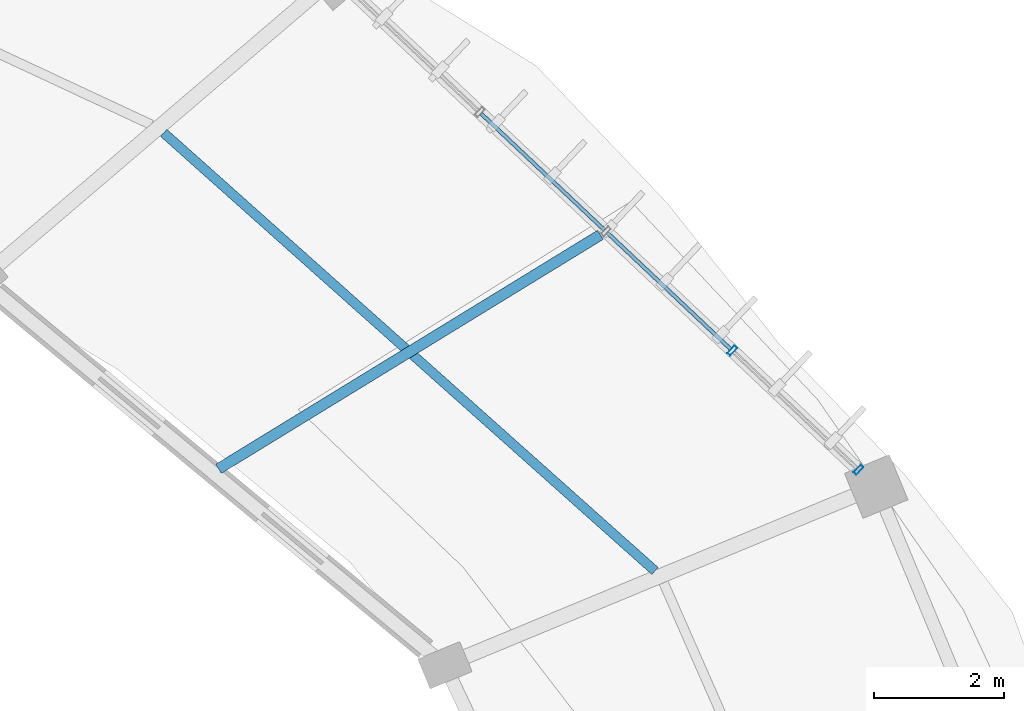
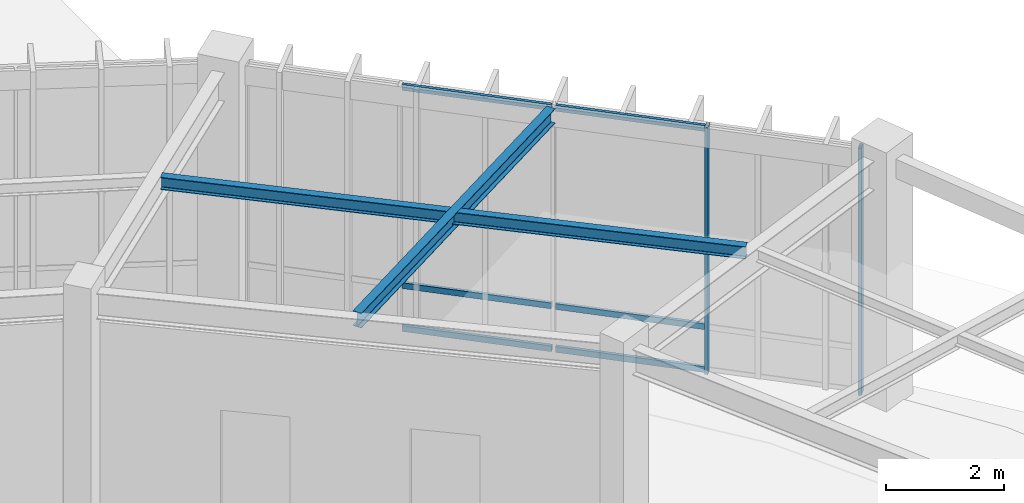
# One storey, part 107 of 157: 8 members, 2 beams, 1 element without a shape of its own.
"""IFC4 building model written with IfcOpenShell, lengths in metres."""

from ifc_helpers import new_model, si_unit, direction, frame, origin, origin_2d, place, context, subcontext, project, spatial, hollow_rectangle, i_section, extrude, material, material_profile, profile_set, type_object, element, aggregate, save


model = new_model("IFC4")

# Units and contexts
model_context = context("Model", 3, precision=1e-05, world=origin(), true_north=direction((0.0, 1.0)))
body_context = subcontext(model_context, "Body", "Model", "MODEL_VIEW")
ifc_project = project(units=[si_unit("LENGTHUNIT", "METRE"), si_unit("AREAUNIT", "SQUARE_METRE"), si_unit("VOLUMEUNIT", "CUBIC_METRE"), si_unit("PLANEANGLEUNIT", "RADIAN"), si_unit("MASSUNIT", "GRAM", prefix="KILO"), si_unit("THERMODYNAMICTEMPERATUREUNIT", "KELVIN"), si_unit("POWERUNIT", "WATT")], contexts=[model_context])

# Site, building, storey
site_placement = place(None, origin())
site = spatial("IfcSite", under=ifc_project, at=site_placement, CompositionType="ELEMENT")
building_placement = place(site_placement, origin())
building = spatial("IfcBuilding", under=site, at=building_placement, Name="Darbajah Civic Hall", CompositionType="ELEMENT")
storey_placement = place(building_placement, origin())
storey = spatial("IfcBuildingStorey", under=building, at=storey_placement, Name="L00", CompositionType="ELEMENT", Elevation=0.0)

# Curtain wall, members
ifc_material_1 = material(Name="Anodised Bronze Aluminium and Low-E Glazing", Category="aluminium")
curtain_wall_type = type_object("IfcCurtainWallType", Name="Unitised Curtain Wall CW-01 10700x5100", PredefinedType="USERDEFINED", material=ifc_material_1)
curtain_wall_placement = place(storey_placement, origin())
curtain_wall = element("IfcCurtainWall", 1, at=curtain_wall_placement, inside=storey, type_object=curtain_wall_type, Name="L00 unitised curtain wall CW-V1O-L00-01", ObjectType="UNITISED CURTAIN WALL", PredefinedType="USERDEFINED")
ifc_material_2 = material(Name="Anodised Bronze Aluminium", Category="aluminium")
ifc_material_profile_1 = material_profile(ifc_material_2, hollow_rectangle(XDim=0.06005859375, YDim=0.159912109375, WallThickness=0.00341796875, at=origin_2d()), Name="ALU MULLION 60x160")
ifc_profile_set_1 = profile_set([ifc_material_profile_1], Name="Anodised Bronze Aluminium")
member_type_1 = type_object("IfcMemberType", Name="ALU MULLION 60x160", PredefinedType="MULLION", material=ifc_profile_set_1)
member_1_placement = place(storey_placement, frame((135.943603515625, 101.347900390625, 0.0), z_axis=(0.0, 0.0, 1.0), x_axis=(-0.727173991201, 0.686453193248, 0.0)))
member_1 = element("IfcMember", 2, at=member_1_placement, type_object=member_type_1, Name="CW-V1O-L00-01 mullion 1", PredefinedType="MULLION", context=body_context, shape_type="SweptSolid", body=[
    extrude(hollow_rectangle(XDim=0.06005859375, YDim=0.159912109375, WallThickness=0.00341796875, at=origin_2d()), origin(), (0.0, 0.0, 1.0), 5.1201171875),
])
member_2_placement = place(storey_placement, frame((133.99658203125, 103.18603515625, 0.0), z_axis=(0.0, 0.0, 1.0), x_axis=(-0.727173991201, 0.686453193248, 0.0)))
member_2 = element("IfcMember", 3, at=member_2_placement, type_object=member_type_1, Name="CW-V1O-L00-01 mullion 2", PredefinedType="MULLION", context=body_context, shape_type="SweptSolid", body=[
    extrude(hollow_rectangle(XDim=0.06005859375, YDim=0.159912109375, WallThickness=0.00341796875, at=origin_2d()), origin(), (0.0, 0.0, 1.0), 5.1201171875),
])
ifc_material_profile_2 = material_profile(ifc_material_2, hollow_rectangle(XDim=0.06005859375, YDim=0.1201171875, WallThickness=0.003173828125, at=origin_2d()), Name="ALU TRANSOM 60x120")
ifc_profile_set_2 = profile_set([ifc_material_profile_2], Name="Anodised Bronze Aluminium")
member_type_2 = type_object("IfcMemberType", Name="ALU TRANSOM 60x120", PredefinedType="USERDEFINED", material=ifc_profile_set_2)
member_3_placement = place(storey_placement, frame((133.970947265625, 103.2099609375, 0.06005859375), z_axis=(-0.727176706438, 0.686450316931, 0.0), x_axis=(-0.686450316931, -0.727176706438, 0.0)))
member_3 = element("IfcMember", 4, at=member_3_placement, type_object=member_type_2, Name="CW-V1O-L00-01 transom 2.1", ObjectType="TRANSOM", PredefinedType="USERDEFINED", context=body_context, shape_type="SweptSolid", body=[
    extrude(hollow_rectangle(XDim=0.06005859375, YDim=0.1201171875, WallThickness=0.003173828125, at=origin_2d()), origin(), (0.0, 0.0, 1.0), 2.607666015625),
])
member_4_placement = place(storey_placement, frame((133.970947265625, 103.2099609375, 0.949951171875), z_axis=(-0.727176706438, 0.686450316931, 0.0), x_axis=(-0.686450316931, -0.727176706438, 0.0)))
member_4 = element("IfcMember", 5, at=member_4_placement, type_object=member_type_2, Name="CW-V1O-L00-01 transom 2.2", ObjectType="TRANSOM", PredefinedType="USERDEFINED", context=body_context, shape_type="SweptSolid", body=[
    extrude(hollow_rectangle(XDim=0.06005859375, YDim=0.1201171875, WallThickness=0.003173828125, at=origin_2d()), origin(), (0.0, 0.0, 1.0), 2.607666015625),
])
member_5_placement = place(storey_placement, frame((133.970947265625, 103.2099609375, 5.06005859375), z_axis=(-0.727176706438, 0.686450316931, 0.0), x_axis=(-0.686450316931, -0.727176706438, 0.0)))
member_5 = element("IfcMember", 6, at=member_5_placement, type_object=member_type_2, Name="CW-V1O-L00-01 transom 2.3", ObjectType="TRANSOM", PredefinedType="USERDEFINED", context=body_context, shape_type="SweptSolid", body=[
    extrude(hollow_rectangle(XDim=0.06005859375, YDim=0.1201171875, WallThickness=0.003173828125, at=origin_2d()), origin(), (0.0, 0.0, 1.0), 2.607666015625),
])
member_6_placement = place(storey_placement, frame((132.023681640625, 105.048095703125, 0.06005859375), z_axis=(-0.727179324188, 0.686447543861, 0.0), x_axis=(-0.686447543861, -0.727179324188, 0.0)))
member_6 = element("IfcMember", 7, at=member_6_placement, type_object=member_type_2, Name="CW-V1O-L00-01 transom 3.1", ObjectType="TRANSOM", PredefinedType="USERDEFINED", context=body_context, shape_type="SweptSolid", body=[
    extrude(hollow_rectangle(XDim=0.06005859375, YDim=0.1201171875, WallThickness=0.003173828125, at=origin_2d()), origin(), (0.0, 0.0, 1.0), 2.607421875),
])
member_7_placement = place(storey_placement, frame((132.023681640625, 105.048095703125, 0.949951171875), z_axis=(-0.727179324188, 0.686447543861, 0.0), x_axis=(-0.686447543861, -0.727179324188, 0.0)))
member_7 = element("IfcMember", 8, at=member_7_placement, type_object=member_type_2, Name="CW-V1O-L00-01 transom 3.2", ObjectType="TRANSOM", PredefinedType="USERDEFINED", context=body_context, shape_type="SweptSolid", body=[
    extrude(hollow_rectangle(XDim=0.06005859375, YDim=0.1201171875, WallThickness=0.003173828125, at=origin_2d()), origin(), (0.0, 0.0, 1.0), 2.607421875),
])
member_8_placement = place(storey_placement, frame((132.023681640625, 105.048095703125, 5.06005859375), z_axis=(-0.727179324188, 0.686447543861, 0.0), x_axis=(-0.686447543861, -0.727179324188, 0.0)))
member_8 = element("IfcMember", 9, at=member_8_placement, type_object=member_type_2, Name="CW-V1O-L00-01 transom 3.3", ObjectType="TRANSOM", PredefinedType="USERDEFINED", context=body_context, shape_type="SweptSolid", body=[
    extrude(hollow_rectangle(XDim=0.06005859375, YDim=0.1201171875, WallThickness=0.003173828125, at=origin_2d()), origin(), (0.0, 0.0, 1.0), 2.607421875),
])
aggregate(curtain_wall, [member_1, member_2, member_3, member_4, member_5, member_6, member_7, member_8])

# Beams
ifc_material_3 = material(Name="Steel S355JR", Category="steel")
ifc_material_profile_3 = material_profile(ifc_material_3, i_section(OverallWidth=0.146484375, OverallDepth=0.256103515625, WebThickness=0.00634765625, FlangeThickness=0.010986328125, FilletRadius=0.007568359375, at=origin_2d()), Name="UB 254x146x37")
ifc_profile_set_3 = profile_set([ifc_material_profile_3], Name="Steel S355JR")
beam_type_1 = type_object("IfcBeamType", Name="UB 254x146x37", PredefinedType="JOIST", material=ifc_profile_set_3)
beam_1_placement = place(storey_placement, frame((132.805419921875, 99.788818359375, 4.991943359375), z_axis=(-0.746395859773, 0.665502231787, 0.0), x_axis=(-0.665502231787, -0.746395859773, 0.0)))
element("IfcBeam", 10, at=beam_1_placement, inside=storey, type_object=beam_type_1, Name="L00 beam SJ-254", PredefinedType="JOIST", context=body_context, shape_type="SweptSolid", body=[
    extrude(i_section(OverallWidth=0.146484375, OverallDepth=0.256103515625, WebThickness=0.00634765625, FlangeThickness=0.010986328125, FilletRadius=0.007568359375, at=origin_2d()), origin(), (0.0, 0.0, 1.0), 10.149658203125),
])
ifc_material_profile_4 = material_profile(ifc_material_3, i_section(OverallWidth=0.165771484375, OverallDepth=0.306640625, WebThickness=0.006591796875, FlangeThickness=0.01171875, FilletRadius=0.0087890625, at=origin_2d()), Name="UB 305x165x46")
ifc_profile_set_4 = profile_set([ifc_material_profile_4], Name="Steel S355JR")
beam_type_2 = type_object("IfcBeamType", Name="UB 305x165x46", PredefinedType="JOIST", material=ifc_profile_set_4)
beam_2_placement = place(storey_placement, frame((126.076171875, 101.363525390625, 4.966796875), z_axis=(0.852634287744, 0.522508154351, 0.0), x_axis=(-0.522508154351, 0.852634287744, 0.0)))
element("IfcBeam", 11, at=beam_2_placement, inside=storey, type_object=beam_type_2, Name="L00 beam SJ-305", PredefinedType="JOIST", context=body_context, shape_type="SweptSolid", body=[
    extrude(i_section(OverallWidth=0.165771484375, OverallDepth=0.306640625, WebThickness=0.006591796875, FlangeThickness=0.01171875, FilletRadius=0.0087890625, at=origin_2d()), origin(), (0.0, 0.0, 1.0), 6.903564453125),
])

save(model, "model.ifc")
